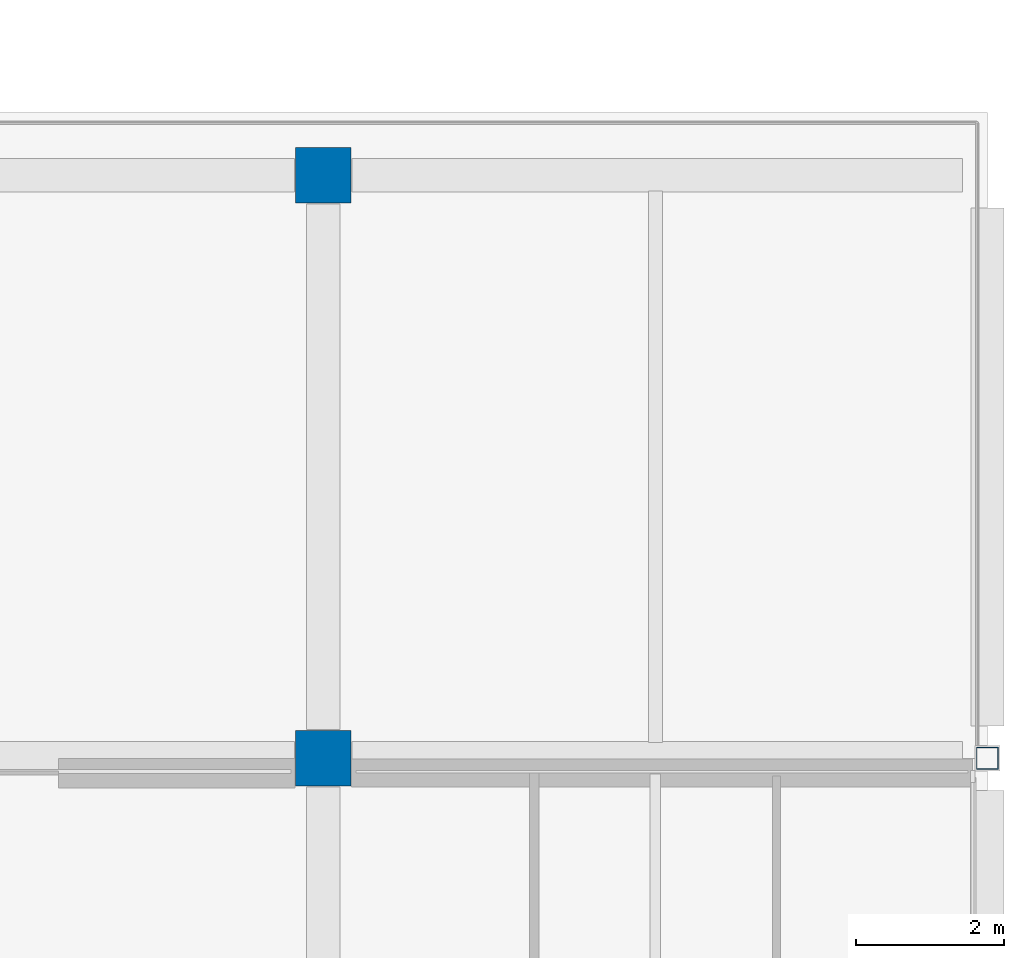
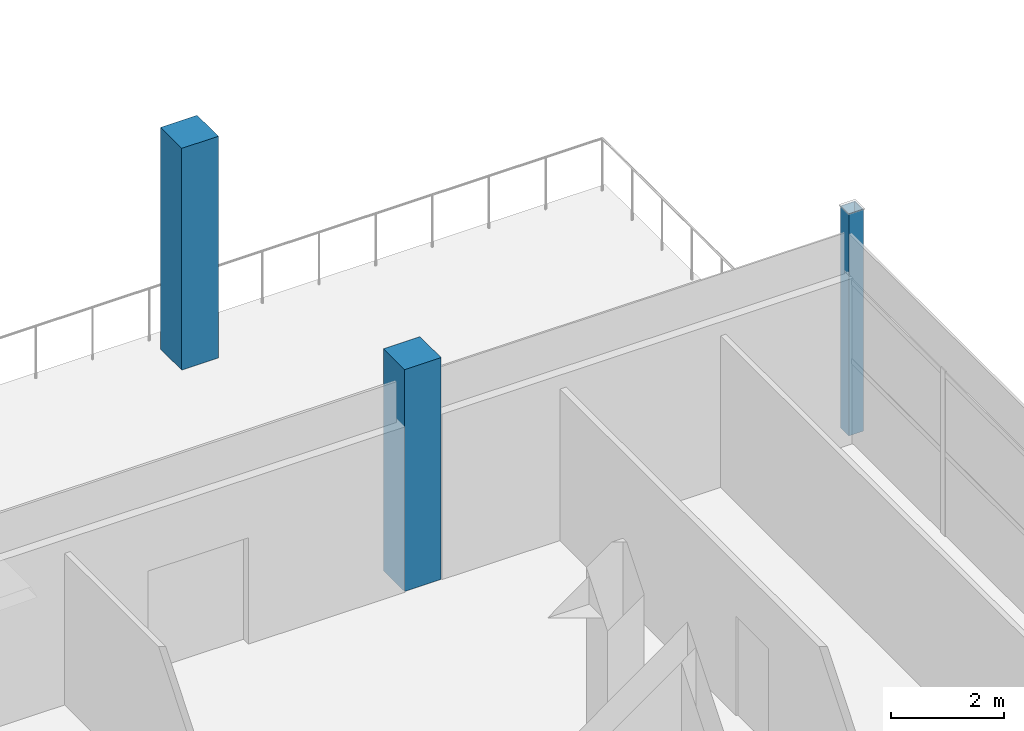
# One storey, part 15 of 66: 3 columns.
"""IFC4 building model written with IfcOpenShell, lengths in metres."""

from ifc_helpers import new_model, si_unit, direction, frame, origin, origin_2d, place, context, subcontext, project, spatial, rectangle, hollow_rectangle, extrude, material, material_profile, profile_set, type_object, element, save


model = new_model("IFC4")

# Units and contexts
model_context = context("Model", 3, precision=1e-05, world=origin(), true_north=direction((0.0, 1.0)))
body_context = subcontext(model_context, "Body", "Model", "MODEL_VIEW")
ifc_project = project(units=[si_unit("LENGTHUNIT", "METRE"), si_unit("AREAUNIT", "SQUARE_METRE"), si_unit("VOLUMEUNIT", "CUBIC_METRE"), si_unit("PLANEANGLEUNIT", "RADIAN"), si_unit("MASSUNIT", "GRAM", prefix="KILO"), si_unit("THERMODYNAMICTEMPERATUREUNIT", "KELVIN"), si_unit("POWERUNIT", "WATT")], contexts=[model_context])

# Site, building, storey
site_placement = place(None, origin())
site = spatial("IfcSite", under=ifc_project, at=site_placement, CompositionType="ELEMENT")
building_placement = place(site_placement, origin())
building = spatial("IfcBuilding", under=site, at=building_placement, Name="Sindhuravela Promenade Stadium", CompositionType="ELEMENT")
storey_placement = place(building_placement, frame((0.0, 0.0, 19.199951171875)))
storey = spatial("IfcBuildingStorey", under=building, at=storey_placement, Name="L04", CompositionType="ELEMENT", Elevation=19.199951171875)

# Columns
ifc_material_1 = material(Name="Concrete M40", Category="concrete")
ifc_material_profile_1 = material_profile(ifc_material_1, rectangle(XDim=0.75, YDim=0.75, at=origin_2d()), Name="RC 750x750")
ifc_profile_set_1 = profile_set([ifc_material_profile_1], Name="Concrete M40")
column_type_1 = type_object("IfcColumnType", Name="RC-CL-750x750", PredefinedType="COLUMN", material=ifc_profile_set_1)
for number, where, z_axis, x_axis, name in (
    (1, (198.0, 117.0, 0.0), (0.0, 0.0, 1.0), (1.0, 0.0, 0.0), "Column C12 EAST L04"),
    (2, (198.0, 124.89990234375, 0.0), (0.0, 0.0, 1.0), (1.0, 0.0, 0.0), "Column C12 EAST L04"),
):
    element("IfcColumn", number, at=place(storey_placement, frame(where, z_axis=z_axis, x_axis=x_axis)), inside=storey, type_object=column_type_1, Name=name, PredefinedType="COLUMN", context=body_context, shape_type="SweptSolid", body=[
        extrude(rectangle(XDim=0.75, YDim=0.75, at=origin_2d()), origin(), (0.0, 0.0, 1.0), 4.800048828125),
    ])
ifc_material_2 = material(Name="Steel E350 (IS 2062 E350BR)", Category="steel")
ifc_material_profile_2 = material_profile(ifc_material_2, hollow_rectangle(XDim=0.300048828125, YDim=0.300048828125, WallThickness=0.011962890625, at=origin_2d()), Name="SHS 300x300x12")
ifc_profile_set_2 = profile_set([ifc_material_profile_2], Name="Steel E350 (IS 2062 E350BR)")
column_type_2 = type_object("IfcColumnType", Name="ST-CL-SHS300", PredefinedType="COLUMN", material=ifc_profile_set_2)
column_placement = place(storey_placement, frame((207.0, 117.0, 0.0), z_axis=(0.0, 0.0, 1.0), x_axis=(1.0, 0.0, 0.0)))
element("IfcColumn", 3, at=column_placement, inside=storey, type_object=column_type_2, Name="Column SC04 EAST L04", PredefinedType="COLUMN", context=body_context, shape_type="SweptSolid", body=[
    extrude(hollow_rectangle(XDim=0.300048828125, YDim=0.300048828125, WallThickness=0.011962890625, at=origin_2d()), origin(), (0.0, 0.0, 1.0), 4.800048828125),
])

save(model, "model.ifc")
